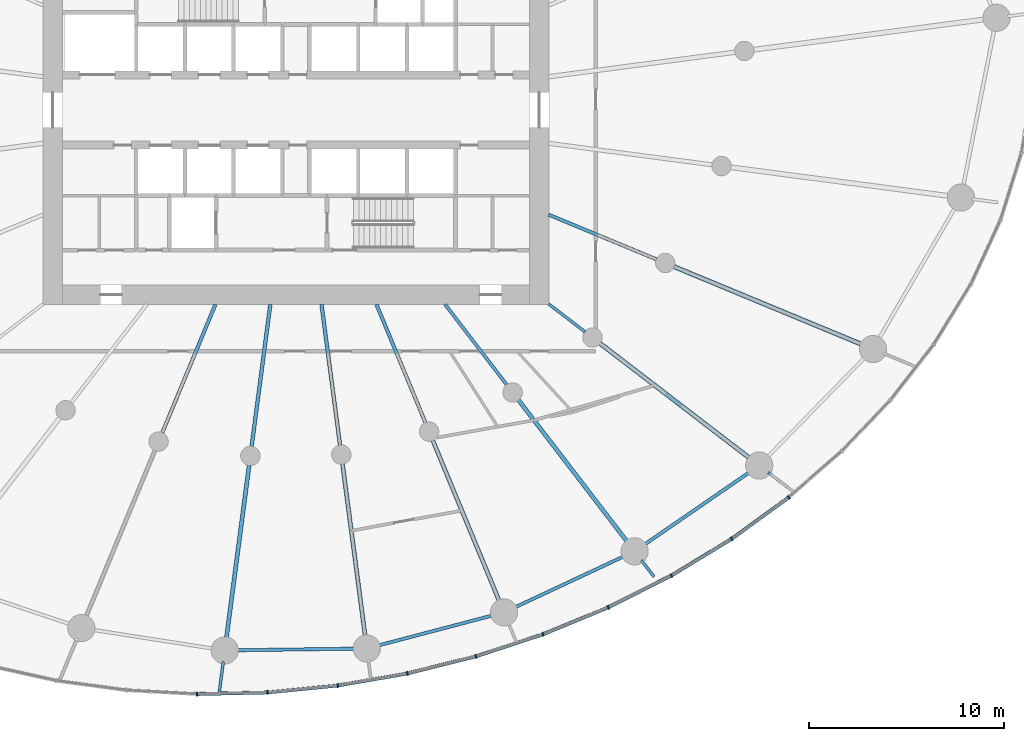
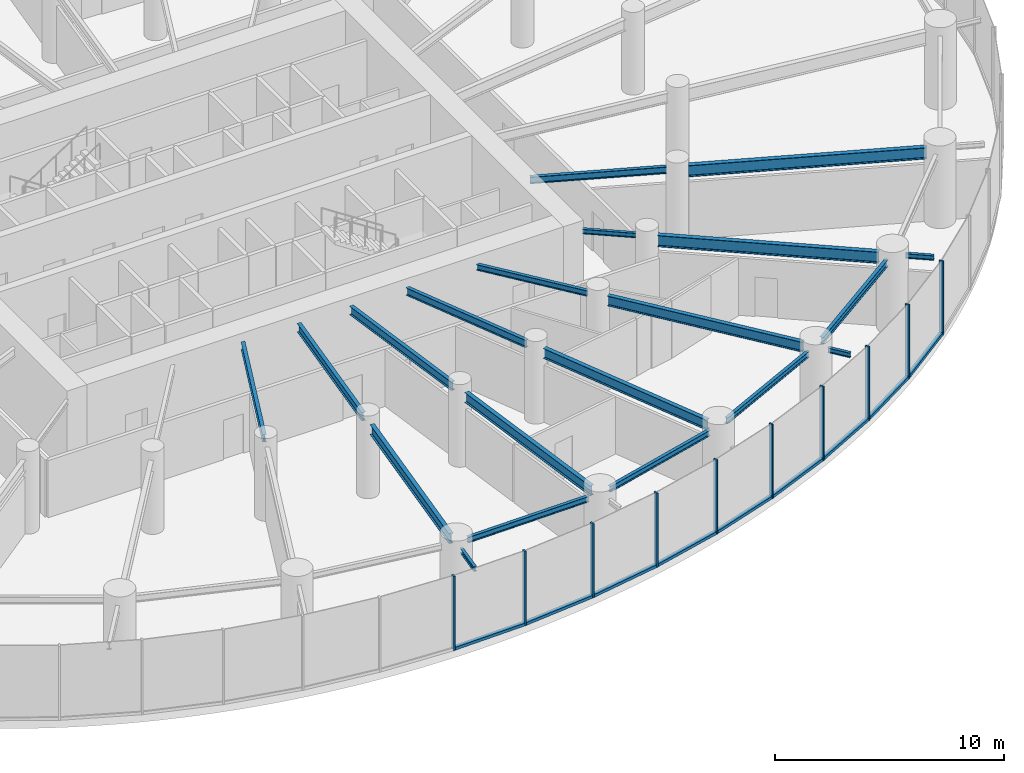
# One storey, part 4 of 18: 20 beams, 19 members, 3 elements without a shape of their own.
"""IFC4 building model written with IfcOpenShell, lengths in metres."""

from ifc_helpers import new_model, si_unit, direction, frame, origin, origin_2d, place, context, subcontext, project, spatial, rectangle, i_section, extrude, source, transform, mapped, material, layer, layer_set, material_profile, profile_set, type_object, element, aggregate, save


model = new_model("IFC4")

# Units and contexts
model_context = context("Model", 3, precision=1e-05, world=origin(), true_north=direction((0.0, 1.0)))
body_context = subcontext(model_context, "Body", "Model", "MODEL_VIEW")
ifc_project = project(units=[si_unit("LENGTHUNIT", "METRE"), si_unit("AREAUNIT", "SQUARE_METRE"), si_unit("VOLUMEUNIT", "CUBIC_METRE"), si_unit("PLANEANGLEUNIT", "RADIAN"), si_unit("MASSUNIT", "GRAM", prefix="KILO")], contexts=[model_context])

# Site, building, storey
site_placement = place(None, origin())
site = spatial("IfcSite", under=ifc_project, at=site_placement, CompositionType="ELEMENT")
building_placement = place(site_placement, origin())
building = spatial("IfcBuilding", under=site, at=building_placement, Name="Spindrift Exchange Tower", CompositionType="ELEMENT")
storey_placement = place(building_placement, frame((0.0, 0.0, 62.199951171875)))
storey = spatial("IfcBuildingStorey", under=building, at=storey_placement, Name="L14", CompositionType="ELEMENT", Elevation=62.199951171875)

# Beams
ifc_material_1 = material(Name="Steel Grade 300", Category="steel")
ifc_material_profile_1 = material_profile(ifc_material_1, i_section(OverallWidth=0.177978515625, OverallDepth=0.406005859375, WebThickness=0.0078125, FlangeThickness=0.0126953125, FilletRadius=0.013916015625, at=origin_2d()), Name="410UB59.7")
ifc_profile_set_1 = profile_set([ifc_material_profile_1], Name="Steel Grade 300")
beam_type_1 = type_object("IfcBeamType", Name="Floor Beam 410UB59.7 Steel Grade 300", PredefinedType="BEAM", material=ifc_profile_set_1)
shared_shape_1 = source(origin(), body_context, "Body", "SweptSolid", [
    extrude(i_section(OverallWidth=0.177978515625, OverallDepth=0.406005859375, WebThickness=0.0078125, FlangeThickness=0.0126953125, FilletRadius=0.013916015625, at=origin_2d()), origin(), (0.0, 0.0, 1.0), 7.150634765625),
])
beam_1_placement = place(storey_placement, frame((47.865478515625, 38.0185546875, 3.7470703125), z_axis=(-0.382665393358, -0.923887004306, 0.0), x_axis=(0.923887004306, -0.382665393358, 0.0)))
element("IfcBeam", 1, at=beam_1_placement, inside=storey, type_object=beam_type_1, Name="L14 radial beam R17A", PredefinedType="BEAM", context=body_context, shape_type="MappedRepresentation", body=[
    mapped(shared_shape_1, transform((0.0, 0.0, 0.0), scale=1.0)),
])
ifc_material_profile_2 = material_profile(ifc_material_1, i_section(OverallWidth=0.18994140625, OverallDepth=0.45703125, WebThickness=0.009033203125, FlangeThickness=0.014404296875, FilletRadius=0.013916015625, at=origin_2d()), Name="460UB74.6")
ifc_profile_set_2 = profile_set([ifc_material_profile_2], Name="Steel Grade 300")
beam_type_2 = type_object("IfcBeamType", Name="Floor Beam 460UB74.6 Steel Grade 300", PredefinedType="BEAM", material=ifc_profile_set_2)
shared_shape_2 = source(origin(), body_context, "Body", "SweptSolid", [
    extrude(i_section(OverallWidth=0.18994140625, OverallDepth=0.45703125, WebThickness=0.009033203125, FlangeThickness=0.014404296875, FilletRadius=0.013916015625, at=origin_2d()), origin(), (0.0, 0.0, 1.0), 7.374267578125),
])
beam_2_placement = place(storey_placement, frame((50.68603515625, 38.019775390625, 3.721435546875), z_axis=(-0.130539295622, -0.99144313619, 0.0), x_axis=(0.99144313619, -0.130539295622, 0.0)))
element("IfcBeam", 2, at=beam_2_placement, inside=storey, type_object=beam_type_2, Name="L14 radial beam R18A", PredefinedType="BEAM", context=body_context, shape_type="MappedRepresentation", body=[
    mapped(shared_shape_2, transform((0.0, 0.0, 0.0), scale=1.0)),
])
ifc_material_profile_3 = material_profile(ifc_material_1, i_section(OverallWidth=0.208984375, OverallDepth=0.532958984375, WebThickness=0.01025390625, FlangeThickness=0.015625, FilletRadius=0.013916015625, at=origin_2d()), Name="530UB92.4")
ifc_profile_set_3 = profile_set([ifc_material_profile_3], Name="Steel Grade 300")
beam_type_3 = type_object("IfcBeamType", Name="Floor Beam 530UB92.4 Steel Grade 300", PredefinedType="BEAM", material=ifc_profile_set_3)
shared_shape_3 = source(origin(), body_context, "Body", "SweptSolid", [
    extrude(i_section(OverallWidth=0.208984375, OverallDepth=0.532958984375, WebThickness=0.01025390625, FlangeThickness=0.015625, FilletRadius=0.013916015625, at=origin_2d()), origin(), (0.0, 0.0, 1.0), 9.020263671875),
])
beam_3_placement = place(storey_placement, frame((49.59814453125, 29.7568359375, 3.68359375), z_axis=(-0.13051122338, -0.991446831944, 0.0), x_axis=(0.991446831944, -0.13051122338, 0.0)))
element("IfcBeam", 3, at=beam_3_placement, inside=storey, type_object=beam_type_3, Name="L14 radial beam R18B", PredefinedType="BEAM", context=body_context, shape_type="MappedRepresentation", body=[
    mapped(shared_shape_3, transform((0.0, 0.0, 0.0), scale=1.0)),
])
shared_shape_4 = source(origin(), body_context, "Body", "SweptSolid", [
    extrude(i_section(OverallWidth=0.18994140625, OverallDepth=0.45703125, WebThickness=0.009033203125, FlangeThickness=0.014404296875, FilletRadius=0.013916015625, at=origin_2d()), origin(), (0.0, 0.0, 1.0), 7.3095703125),
])
beam_4_placement = place(storey_placement, frame((53.31396484375, 38.019775390625, 3.721435546875), z_axis=(0.130527087244, -0.991444743541, 0.0), x_axis=(0.991444743541, 0.130527087244, 0.0)))
element("IfcBeam", 4, at=beam_4_placement, inside=storey, type_object=beam_type_2, Name="L14 radial beam R19A", PredefinedType="BEAM", context=body_context, shape_type="MappedRepresentation", body=[
    mapped(shared_shape_4, transform((0.0, 0.0, 0.0), scale=1.0)),
])
shared_shape_5 = source(origin(), body_context, "Body", "SweptSolid", [
    extrude(i_section(OverallWidth=0.208984375, OverallDepth=0.532958984375, WebThickness=0.01025390625, FlangeThickness=0.015625, FilletRadius=0.013916015625, at=origin_2d()), origin(), (0.0, 0.0, 1.0), 8.98388671875),
])
beam_5_placement = place(storey_placement, frame((54.393310546875, 29.82080078125, 3.68359375), z_axis=(0.130524106785, -0.991445135924, 0.0), x_axis=(0.991445135924, 0.130524106785, 0.0)))
element("IfcBeam", 5, at=beam_5_placement, inside=storey, type_object=beam_type_3, Name="L14 radial beam R19B", PredefinedType="BEAM", context=body_context, shape_type="MappedRepresentation", body=[
    mapped(shared_shape_5, transform((0.0, 0.0, 0.0), scale=1.0)),
])
shared_shape_6 = source(origin(), body_context, "Body", "SweptSolid", [
    extrude(i_section(OverallWidth=0.177978515625, OverallDepth=0.406005859375, WebThickness=0.0078125, FlangeThickness=0.0126953125, FilletRadius=0.013916015625, at=origin_2d()), origin(), (0.0, 0.0, 1.0), 6.594482421875),
])
beam_6_placement = place(storey_placement, frame((56.134521484375, 38.0185546875, 3.7470703125), z_axis=(0.382692929746, -0.92387559851, 0.0), x_axis=(0.92387559851, 0.382692929746, 0.0)))
element("IfcBeam", 6, at=beam_6_placement, inside=storey, type_object=beam_type_1, Name="L14 radial beam R20A", PredefinedType="BEAM", context=body_context, shape_type="MappedRepresentation", body=[
    mapped(shared_shape_6, transform((0.0, 0.0, 0.0), scale=1.0)),
])
shared_shape_7 = source(origin(), body_context, "Body", "SweptSolid", [
    extrude(i_section(OverallWidth=0.208984375, OverallDepth=0.532958984375, WebThickness=0.01025390625, FlangeThickness=0.015625, FilletRadius=0.013916015625, at=origin_2d()), origin(), (0.0, 0.0, 1.0), 8.99658203125),
])
beam_7_placement = place(storey_placement, frame((59.025390625, 31.0390625, 3.68359375), z_axis=(0.382685731718, -0.923878580085, 0.0), x_axis=(0.923878580085, 0.382685731718, 0.0)))
element("IfcBeam", 7, at=beam_7_placement, inside=storey, type_object=beam_type_3, Name="L14 radial beam R20B", PredefinedType="BEAM", context=body_context, shape_type="MappedRepresentation", body=[
    mapped(shared_shape_7, transform((0.0, 0.0, 0.0), scale=1.0)),
])
ifc_material_profile_4 = material_profile(ifc_material_1, i_section(OverallWidth=0.1650390625, OverallDepth=0.303955078125, WebThickness=0.006103515625, FlangeThickness=0.01025390625, FilletRadius=0.011474609375, at=origin_2d()), Name="310UB40.4")
ifc_profile_set_4 = profile_set([ifc_material_profile_4], Name="Steel Grade 300")
beam_type_4 = type_object("IfcBeamType", Name="Floor Beam 310UB40.4 Steel Grade 300", PredefinedType="BEAM", material=ifc_profile_set_4)
shared_shape_8 = source(origin(), body_context, "Body", "SweptSolid", [
    extrude(i_section(OverallWidth=0.1650390625, OverallDepth=0.303955078125, WebThickness=0.006103515625, FlangeThickness=0.01025390625, FilletRadius=0.011474609375, at=origin_2d()), origin(), (0.0, 0.0, 1.0), 5.224609375),
])
beam_8_placement = place(storey_placement, frame((59.6611328125, 38.015869140625, 3.798095703125), z_axis=(0.608741499316, -0.793368632485, 0.0), x_axis=(0.793368632485, 0.608741499316, 0.0)))
element("IfcBeam", 8, at=beam_8_placement, inside=storey, type_object=beam_type_4, Name="L14 radial beam R21A", PredefinedType="BEAM", context=body_context, shape_type="MappedRepresentation", body=[
    mapped(shared_shape_8, transform((0.0, 0.0, 0.0), scale=1.0)),
])
shared_shape_9 = source(origin(), body_context, "Body", "SweptSolid", [
    extrude(i_section(OverallWidth=0.208984375, OverallDepth=0.532958984375, WebThickness=0.01025390625, FlangeThickness=0.015625, FilletRadius=0.013916015625, at=origin_2d()), origin(), (0.0, 0.0, 1.0), 9.227783203125),
])
beam_9_placement = place(storey_placement, frame((63.426025390625, 33.109375, 3.68359375), z_axis=(0.608747534474, -0.79336400175, 0.0), x_axis=(0.79336400175, 0.608747534474, 0.0)))
element("IfcBeam", 9, at=beam_9_placement, inside=storey, type_object=beam_type_3, Name="L14 radial beam R21B", PredefinedType="BEAM", context=body_context, shape_type="MappedRepresentation", body=[
    mapped(shared_shape_9, transform((0.0, 0.0, 0.0), scale=1.0)),
])
ifc_material_profile_5 = material_profile(ifc_material_1, i_section(OverallWidth=0.14599609375, OverallDepth=0.251953125, WebThickness=0.006103515625, FlangeThickness=0.008544921875, FilletRadius=0.011962890625, at=origin_2d()), Name="250UB31.4")
ifc_profile_set_5 = profile_set([ifc_material_profile_5], Name="Steel Grade 300")
beam_type_5 = type_object("IfcBeamType", Name="Floor Beam 250UB31.4 Steel Grade 300", PredefinedType="BEAM", material=ifc_profile_set_5)
shared_shape_10 = source(origin(), body_context, "Body", "SweptSolid", [
    extrude(i_section(OverallWidth=0.14599609375, OverallDepth=0.251953125, WebThickness=0.006103515625, FlangeThickness=0.008544921875, FilletRadius=0.011962890625, at=origin_2d()), origin(), (0.0, 0.0, 1.0), 2.353759765625),
])
beam_10_placement = place(storey_placement, frame((64.984130859375, 38.036865234375, 3.823974609375), z_axis=(0.793367573265, -0.608742879787, 0.0), x_axis=(0.608742879787, 0.793367573265, 0.0)))
element("IfcBeam", 10, at=beam_10_placement, inside=storey, type_object=beam_type_5, Name="L14 radial beam R22A", PredefinedType="BEAM", context=body_context, shape_type="MappedRepresentation", body=[
    mapped(shared_shape_10, transform((0.0, 0.0, 0.0), scale=1.0)),
])
ifc_material_profile_6 = material_profile(ifc_material_1, i_section(OverallWidth=0.22802734375, OverallDepth=0.60693359375, WebThickness=0.01123046875, FlangeThickness=0.017333984375, FilletRadius=0.013916015625, at=origin_2d()), Name="610UB113")
ifc_profile_set_6 = profile_set([ifc_material_profile_6], Name="Steel Grade 300")
beam_type_6 = type_object("IfcBeamType", Name="Floor Beam 610UB113 Steel Grade 300", PredefinedType="BEAM", material=ifc_profile_set_6)
shared_shape_11 = source(origin(), body_context, "Body", "SweptSolid", [
    extrude(i_section(OverallWidth=0.22802734375, OverallDepth=0.60693359375, WebThickness=0.01123046875, FlangeThickness=0.017333984375, FilletRadius=0.013916015625, at=origin_2d()), origin(), (0.0, 0.0, 1.0), 9.73974609375),
])
beam_11_placement = place(storey_placement, frame((67.61328125, 36.01953125, 3.646484375), z_axis=(0.793352119621, -0.608763019814, 0.0), x_axis=(0.608763019814, 0.793352119621, 0.0)))
element("IfcBeam", 11, at=beam_11_placement, inside=storey, type_object=beam_type_6, Name="L14 radial beam R22B", PredefinedType="BEAM", context=body_context, shape_type="MappedRepresentation", body=[
    mapped(shared_shape_11, transform((0.0, 0.0, 0.0), scale=1.0)),
])
ifc_material_profile_7 = material_profile(ifc_material_1, i_section(OverallWidth=0.172119140625, OverallDepth=0.35888671875, WebThickness=0.008056640625, FlangeThickness=0.012939453125, FilletRadius=0.013916015625, at=origin_2d()), Name="360UB56.7")
ifc_profile_set_7 = profile_set([ifc_material_profile_7], Name="Steel Grade 300")
beam_type_7 = type_object("IfcBeamType", Name="Floor Beam 360UB56.7 Steel Grade 300", PredefinedType="BEAM", material=ifc_profile_set_7)
shared_shape_12 = source(origin(), body_context, "Body", "SweptSolid", [
    extrude(i_section(OverallWidth=0.172119140625, OverallDepth=0.35888671875, WebThickness=0.008056640625, FlangeThickness=0.012939453125, FilletRadius=0.013916015625, at=origin_2d()), origin(), (0.0, 0.0, 1.0), 6.004638671875),
])
beam_12_placement = place(storey_placement, frame((64.9814453125, 42.622802734375, 3.7705078125), z_axis=(0.923882044911, -0.38267736684, 0.0), x_axis=(0.38267736684, 0.923882044911, 0.0)))
element("IfcBeam", 12, at=beam_12_placement, inside=storey, type_object=beam_type_7, Name="L14 radial beam R23A", PredefinedType="BEAM", context=body_context, shape_type="MappedRepresentation", body=[
    mapped(shared_shape_12, transform((0.0, 0.0, 0.0), scale=1.0)),
])
shared_shape_13 = source(origin(), body_context, "Body", "SweptSolid", [
    extrude(i_section(OverallWidth=0.22802734375, OverallDepth=0.60693359375, WebThickness=0.01123046875, FlangeThickness=0.017333984375, FilletRadius=0.013916015625, at=origin_2d()), origin(), (0.0, 0.0, 1.0), 10.4912109375),
])
beam_13_placement = place(storey_placement, frame((71.416015625, 39.95751953125, 3.646484375), z_axis=(0.923885231151, -0.382669674342, 0.0), x_axis=(0.382669674342, 0.923885231151, 0.0)))
element("IfcBeam", 13, at=beam_13_placement, inside=storey, type_object=beam_type_6, Name="L14 radial beam R23B", PredefinedType="BEAM", context=body_context, shape_type="MappedRepresentation", body=[
    mapped(shared_shape_13, transform((0.0, 0.0, 0.0), scale=1.0)),
])
ifc_material_profile_8 = material_profile(ifc_material_1, i_section(OverallWidth=0.1650390625, OverallDepth=0.303955078125, WebThickness=0.006103515625, FlangeThickness=0.01025390625, FilletRadius=0.011474609375, at=origin_2d()), Name="310UB40.4")
ifc_profile_set_8 = profile_set([ifc_material_profile_8], Name="Steel Grade 300")
beam_type_8 = type_object("IfcBeamType", Name="Edge Beam 310UB40.4 Steel Grade 300", PredefinedType="SPANDREL", material=ifc_profile_set_8)
shared_shape_14 = source(origin(), body_context, "Body", "SweptSolid", [
    extrude(i_section(OverallWidth=0.1650390625, OverallDepth=0.303955078125, WebThickness=0.006103515625, FlangeThickness=0.01025390625, FilletRadius=0.011474609375, at=origin_2d()), origin(), (0.0, 0.0, 1.0), 6.13720703125),
])
beam_14_placement = place(storey_placement, frame((48.925048828125, 20.24658203125, 3.798095703125), z_axis=(0.999905820907, 0.013724041543, 0.0), x_axis=(-0.013724041543, 0.999905820907, 0.0)))
element("IfcBeam", 14, at=beam_14_placement, inside=storey, type_object=beam_type_8, Name="L14 edge beam E18", PredefinedType="SPANDREL", context=body_context, shape_type="MappedRepresentation", body=[
    mapped(shared_shape_14, transform((0.0, 0.0, 0.0), scale=1.0)),
])
shared_shape_15 = source(origin(), body_context, "Body", "SweptSolid", [
    extrude(i_section(OverallWidth=0.1650390625, OverallDepth=0.303955078125, WebThickness=0.006103515625, FlangeThickness=0.01025390625, FilletRadius=0.011474609375, at=origin_2d()), origin(), (0.0, 0.0, 1.0), 6.128173828125),
])
beam_15_placement = place(storey_placement, frame((56.20263671875, 20.486083984375, 3.798095703125), z_axis=(0.967147261855, 0.254216785216, 0.0), x_axis=(-0.254216785216, 0.967147261855, 0.0)))
element("IfcBeam", 15, at=beam_15_placement, inside=storey, type_object=beam_type_8, Name="L14 edge beam E19", PredefinedType="SPANDREL", context=body_context, shape_type="MappedRepresentation", body=[
    mapped(shared_shape_15, transform((0.0, 0.0, 0.0), scale=1.0)),
])
shared_shape_16 = source(origin(), body_context, "Body", "SweptSolid", [
    extrude(i_section(OverallWidth=0.1650390625, OverallDepth=0.303955078125, WebThickness=0.006103515625, FlangeThickness=0.01025390625, FilletRadius=0.011474609375, at=origin_2d()), origin(), (0.0, 0.0, 1.0), 6.243408203125),
])
beam_16_placement = place(storey_placement, frame((63.2158203125, 22.43701171875, 3.798095703125), z_axis=(0.905791146607, 0.423724437257, 0.0), x_axis=(-0.423724437257, 0.905791146607, 0.0)))
element("IfcBeam", 16, at=beam_16_placement, inside=storey, type_object=beam_type_8, Name="L14 edge beam E20", PredefinedType="SPANDREL", context=body_context, shape_type="MappedRepresentation", body=[
    mapped(shared_shape_16, transform((0.0, 0.0, 0.0), scale=1.0)),
])
ifc_material_profile_9 = material_profile(ifc_material_1, i_section(OverallWidth=0.172119140625, OverallDepth=0.35888671875, WebThickness=0.008056640625, FlangeThickness=0.012939453125, FilletRadius=0.013916015625, at=origin_2d()), Name="360UB56.7")
ifc_profile_set_9 = profile_set([ifc_material_profile_9], Name="Steel Grade 300")
beam_type_9 = type_object("IfcBeamType", Name="Edge Beam 360UB56.7 Steel Grade 300", PredefinedType="SPANDREL", material=ifc_profile_set_9)
shared_shape_17 = source(origin(), body_context, "Body", "SweptSolid", [
    extrude(i_section(OverallWidth=0.172119140625, OverallDepth=0.35888671875, WebThickness=0.008056640625, FlangeThickness=0.012939453125, FilletRadius=0.013916015625, at=origin_2d()), origin(), (0.0, 0.0, 1.0), 6.614990234375),
])
beam_17_placement = place(storey_placement, frame((69.874267578125, 25.6572265625, 3.7705078125), z_axis=(0.823690708835, 0.567039342708, 0.0), x_axis=(-0.567039342708, 0.823690708835, 0.0)))
element("IfcBeam", 17, at=beam_17_placement, inside=storey, type_object=beam_type_9, Name="L14 edge beam E21", PredefinedType="SPANDREL", context=body_context, shape_type="MappedRepresentation", body=[
    mapped(shared_shape_17, transform((0.0, 0.0, 0.0), scale=1.0)),
])
ifc_material_profile_10 = material_profile(ifc_material_1, i_section(OverallWidth=0.14599609375, OverallDepth=0.251953125, WebThickness=0.006103515625, FlangeThickness=0.008544921875, FilletRadius=0.011962890625, at=origin_2d()), Name="250UB31.4")
ifc_profile_set_10 = profile_set([ifc_material_profile_10], Name="Steel Grade 300")
beam_type_10 = type_object("IfcBeamType", Name="Cantilever Beam 250UB31.4 Steel Grade 300", PredefinedType="BEAM", material=ifc_profile_set_10)
shared_shape_18 = source(origin(), body_context, "Body", "SweptSolid", [
    extrude(i_section(OverallWidth=0.14599609375, OverallDepth=0.251953125, WebThickness=0.006103515625, FlangeThickness=0.008544921875, FilletRadius=0.011962890625, at=origin_2d()), origin(), (0.0, 0.0, 1.0), 1.58740234375),
])
beam_18_placement = place(storey_placement, frame((48.269287109375, 19.66357421875, 3.823974609375), z_axis=(-0.130430640093, -0.991457436366, 0.0), x_axis=(0.991457436366, -0.130430640093, 0.0)))
element("IfcBeam", 18, at=beam_18_placement, inside=storey, type_object=beam_type_10, Name="L14 cantilever beam R18T", PredefinedType="BEAM", context=body_context, shape_type="MappedRepresentation", body=[
    mapped(shared_shape_18, transform((0.0, 0.0, 0.0), scale=1.0)),
])
shared_shape_19 = source(origin(), body_context, "Body", "SweptSolid", [
    extrude(i_section(OverallWidth=0.14599609375, OverallDepth=0.251953125, WebThickness=0.006103515625, FlangeThickness=0.008544921875, FilletRadius=0.011962890625, at=origin_2d()), origin(), (0.0, 0.0, 1.0), 1.0615234375),
])
beam_19_placement = place(storey_placement, frame((69.749755859375, 24.8681640625, 3.823974609375), z_axis=(0.608721173943, -0.793384227467, 0.0), x_axis=(0.793384227467, 0.608721173943, 0.0)))
element("IfcBeam", 19, at=beam_19_placement, inside=storey, type_object=beam_type_10, Name="L14 cantilever beam R21T", PredefinedType="BEAM", context=body_context, shape_type="MappedRepresentation", body=[
    mapped(shared_shape_19, transform((0.0, 0.0, 0.0), scale=1.0)),
])
shared_shape_20 = source(origin(), body_context, "Body", "SweptSolid", [
    extrude(i_section(OverallWidth=0.14599609375, OverallDepth=0.251953125, WebThickness=0.006103515625, FlangeThickness=0.008544921875, FilletRadius=0.011962890625, at=origin_2d()), origin(), (0.0, 0.0, 1.0), 1.251708984375),
])
beam_20_placement = place(storey_placement, frame((76.2607421875, 29.384033203125, 3.823974609375), z_axis=(0.793399134093, -0.608701744716, 0.0), x_axis=(0.608701744716, 0.793399134093, 0.0)))
element("IfcBeam", 20, at=beam_20_placement, inside=storey, type_object=beam_type_10, Name="L14 cantilever beam R22T", PredefinedType="BEAM", context=body_context, shape_type="MappedRepresentation", body=[
    mapped(shared_shape_20, transform((0.0, 0.0, 0.0), scale=1.0)),
])

# Curtain wall, member
ifc_material_2 = material(Name="Fritted laminated glass with bronze frame", Category="glass")
ifc_layer = layer(ifc_material_2, 0.199951171875)
ifc_layer_set = layer_set([ifc_layer], Name="ZONE 1 BRONZE FRITTED WALL")
curtain_wall_type = type_object("IfcCurtainWallType", Name="ZONE 1 BRONZE FRITTED WALL", PredefinedType="NOTDEFINED", material=ifc_layer_set)
curtain_wall_1_placement = place(storey_placement, origin())
curtain_wall_1 = element("IfcCurtainWall", 21, at=curtain_wall_1_placement, inside=storey, type_object=curtain_wall_type, Name="L14 Zone 1 Bronze Fritted Wall run 7", PredefinedType="NOTDEFINED")
ifc_material_3 = material(Name="Bronze anodised aluminium", Category="aluminium")
ifc_material_profile_11 = material_profile(ifc_material_3, rectangle(XDim=0.080078125, YDim=0.199951171875, at=origin_2d()), Name="ZONE 1 BRONZE FRITTED WALL MULLION 80X200")
ifc_profile_set_11 = profile_set([ifc_material_profile_11], Name="Bronze anodised aluminium")
member_type_1 = type_object("IfcMemberType", Name="ZONE 1 BRONZE FRITTED WALL MULLION 80X200", PredefinedType="MULLION", material=ifc_profile_set_11)
shared_shape_21 = source(origin(), body_context, "Body", "SweptSolid", [
    extrude(rectangle(XDim=0.080078125, YDim=0.199951171875, at=origin_2d()), origin(), (0.0, 0.0, 1.0), 3.949951171875),
])
member_1_placement = place(storey_placement, frame((46.9169921875, 17.998291015625, 0.0), z_axis=(0.0, 0.0, 1.0), x_axis=(0.999879571608, -0.015519094106, 0.0)))
member_1 = element("IfcMember", 22, at=member_1_placement, type_object=member_type_1, Name="L14 mullion CW-1.42", PredefinedType="MULLION", context=body_context, shape_type="MappedRepresentation", body=[
    mapped(shared_shape_21, transform((0.0, 0.0, 0.0), scale=1.0)),
])

# Curtain wall, members
curtain_wall_2_placement = place(storey_placement, origin())
curtain_wall_2 = element("IfcCurtainWall", 23, at=curtain_wall_2_placement, inside=storey, type_object=curtain_wall_type, Name="L14 Zone 1 Bronze Fritted Wall run 8", PredefinedType="NOTDEFINED")
member_2_placement = place(storey_placement, frame((50.54345703125, 18.081787109375, 0.0), z_axis=(0.0, 0.0, 1.0), x_axis=(0.998169085735, 0.060485339405, 0.0)))
member_2 = element("IfcMember", 24, at=member_2_placement, type_object=member_type_1, Name="L14 mullion CW-1.43", PredefinedType="MULLION", context=body_context, shape_type="MappedRepresentation", body=[
    mapped(shared_shape_21, transform((0.0, 0.0, 0.0), scale=1.0)),
])
member_3_placement = place(storey_placement, frame((54.1533203125, 18.436767578125, 0.0), z_axis=(0.0, 0.0, 1.0), x_axis=(0.990939957936, 0.134305620753, 0.0)))
member_3 = element("IfcMember", 25, at=member_3_placement, type_object=member_type_1, Name="L14 mullion CW-1.44", PredefinedType="MULLION", context=body_context, shape_type="MappedRepresentation", body=[
    mapped(shared_shape_21, transform((0.0, 0.0, 0.0), scale=1.0)),
])
member_4_placement = place(storey_placement, frame((57.7275390625, 19.0556640625, 0.0), z_axis=(0.0, 0.0, 1.0), x_axis=(0.978470564596, 0.206386419658, 0.0)))
member_4 = element("IfcMember", 26, at=member_4_placement, type_object=member_type_1, Name="L14 mullion CW-1.45", PredefinedType="MULLION", context=body_context, shape_type="MappedRepresentation", body=[
    mapped(shared_shape_21, transform((0.0, 0.0, 0.0), scale=1.0)),
])
member_5_placement = place(storey_placement, frame((61.247314453125, 19.93310546875, 0.0), z_axis=(0.0, 0.0, 1.0), x_axis=(0.960823302195, 0.277161653117, 0.0)))
member_5 = element("IfcMember", 27, at=member_5_placement, type_object=member_type_1, Name="L14 mullion CW-1.46", PredefinedType="MULLION", context=body_context, shape_type="MappedRepresentation", body=[
    mapped(shared_shape_21, transform((0.0, 0.0, 0.0), scale=1.0)),
])
member_6_placement = place(storey_placement, frame((64.693603515625, 21.06494140625, 0.0), z_axis=(0.0, 0.0, 1.0), x_axis=(0.937848639098, 0.347044565066, 0.0)))
member_6 = element("IfcMember", 28, at=member_6_placement, type_object=member_type_1, Name="L14 mullion CW-1.47", PredefinedType="MULLION", context=body_context, shape_type="MappedRepresentation", body=[
    mapped(shared_shape_21, transform((0.0, 0.0, 0.0), scale=1.0)),
])
member_7_placement = place(storey_placement, frame((68.04638671875, 22.448974609375, 0.0), z_axis=(0.0, 0.0, 1.0), x_axis=(0.909206327977, 0.416345833613, 0.0)))
member_7 = element("IfcMember", 29, at=member_7_placement, type_object=member_type_1, Name="L14 mullion CW-1.48", PredefinedType="MULLION", context=body_context, shape_type="MappedRepresentation", body=[
    mapped(shared_shape_21, transform((0.0, 0.0, 0.0), scale=1.0)),
])

curtain_wall_3_placement = place(storey_placement, origin())
curtain_wall_3 = element("IfcCurtainWall", 30, at=curtain_wall_3_placement, inside=storey, type_object=curtain_wall_type, Name="L14 Zone 1 Bronze Fritted Wall run 9", PredefinedType="NOTDEFINED")
member_8_placement = place(storey_placement, frame((71.284912109375, 24.083251953125, 0.0), z_axis=(0.0, 0.0, 1.0), x_axis=(0.8743390314, 0.485315627372, 0.0)))
member_8 = element("IfcMember", 31, at=member_8_placement, type_object=member_type_1, Name="L14 mullion CW-1.49", PredefinedType="MULLION", context=body_context, shape_type="MappedRepresentation", body=[
    mapped(shared_shape_21, transform((0.0, 0.0, 0.0), scale=1.0)),
])
member_9_placement = place(storey_placement, frame((74.384521484375, 25.967041015625, 0.0), z_axis=(0.0, 0.0, 1.0), x_axis=(0.832448880548, 0.554101850993, 0.0)))
member_9 = element("IfcMember", 32, at=member_9_placement, type_object=member_type_1, Name="L14 mullion CW-1.50", PredefinedType="MULLION", context=body_context, shape_type="MappedRepresentation", body=[
    mapped(shared_shape_21, transform((0.0, 0.0, 0.0), scale=1.0)),
])
member_10_placement = place(storey_placement, frame((77.318603515625, 28.099609375, 0.0), z_axis=(0.0, 0.0, 1.0), x_axis=(0.782489449851, 0.622663842592, 0.0)))
member_10 = element("IfcMember", 33, at=member_10_placement, type_object=member_type_1, Name="L14 mullion CW-1.51", PredefinedType="MULLION", context=body_context, shape_type="MappedRepresentation", body=[
    mapped(shared_shape_21, transform((0.0, 0.0, 0.0), scale=1.0)),
])

# Member
ifc_material_profile_12 = material_profile(ifc_material_3, rectangle(XDim=0.179931640625, YDim=0.14990234375, at=origin_2d()), Name="ZONE 1 BRONZE FRITTED WALL TRANSOM 180X150")
ifc_profile_set_12 = profile_set([ifc_material_profile_12], Name="Bronze anodised aluminium")
member_type_2 = type_object("IfcMemberType", Name="ZONE 1 BRONZE FRITTED WALL TRANSOM 180X150", PredefinedType="USERDEFINED", material=ifc_profile_set_12)
shared_shape_22 = source(origin(), body_context, "Body", "SweptSolid", [
    extrude(rectangle(XDim=0.179931640625, YDim=0.14990234375, at=origin_2d()), origin(), (0.0, 0.0, 1.0), 3.54736328125),
])
member_11_placement = place(storey_placement, frame((46.95703125, 17.9990234375, 0.074951171875), z_axis=(0.999732587165, 0.023124752119, 0.0), x_axis=(-0.023124752119, 0.999732587165, 0.0)))
member_11 = element("IfcMember", 34, at=member_11_placement, type_object=member_type_2, Name="L14 transom CW-1.42", ObjectType="TRANSOM", PredefinedType="USERDEFINED", context=body_context, shape_type="MappedRepresentation", body=[
    mapped(shared_shape_22, transform((0.0, 0.0, 0.0), scale=1.0)),
])

aggregate(curtain_wall_1, [member_1, member_11])

member_12_placement = place(storey_placement, frame((50.583251953125, 18.085693359375, 0.074951171875), z_axis=(0.995199389118, 0.097868155693, 0.0), x_axis=(-0.097868155693, 0.995199389118, 0.0)))
member_12 = element("IfcMember", 35, at=member_12_placement, type_object=member_type_2, Name="L14 transom CW-1.43", ObjectType="TRANSOM", PredefinedType="USERDEFINED", context=body_context, shape_type="MappedRepresentation", body=[
    mapped(shared_shape_22, transform((0.0, 0.0, 0.0), scale=1.0)),
])

member_13_placement = place(storey_placement, frame((54.19287109375, 18.443603515625, 0.074951171875), z_axis=(0.985338270874, 0.170612109625, 0.0), x_axis=(-0.170612109625, 0.985338270874, 0.0)))
member_13 = element("IfcMember", 36, at=member_13_placement, type_object=member_type_2, Name="L14 transom CW-1.44", ObjectType="TRANSOM", PredefinedType="USERDEFINED", context=body_context, shape_type="MappedRepresentation", body=[
    mapped(shared_shape_22, transform((0.0, 0.0, 0.0), scale=1.0)),
])

member_14_placement = place(storey_placement, frame((61.285400390625, 19.945556640625, 0.074951171875), z_axis=(0.950064400678, 0.31205389689, 0.0), x_axis=(-0.31205389689, 0.950064400678, 0.0)))
member_14 = element("IfcMember", 37, at=member_14_placement, type_object=member_type_2, Name="L14 transom CW-1.46", ObjectType="TRANSOM", PredefinedType="USERDEFINED", context=body_context, shape_type="MappedRepresentation", body=[
    mapped(shared_shape_22, transform((0.0, 0.0, 0.0), scale=1.0)),
])

member_15_placement = place(storey_placement, frame((64.73046875, 21.080322265625, 0.074951171875), z_axis=(0.924348506599, 0.381549260709, 0.0), x_axis=(-0.381549260709, 0.924348506599, 0.0)))
member_15 = element("IfcMember", 38, at=member_15_placement, type_object=member_type_2, Name="L14 transom CW-1.47", ObjectType="TRANSOM", PredefinedType="USERDEFINED", context=body_context, shape_type="MappedRepresentation", body=[
    mapped(shared_shape_22, transform((0.0, 0.0, 0.0), scale=1.0)),
])

shared_shape_23 = source(origin(), body_context, "Body", "SweptSolid", [
    extrude(rectangle(XDim=0.179931640625, YDim=0.14990234375, at=origin_2d()), origin(), (0.0, 0.0, 1.0), 3.547119140625),
])
member_16_placement = place(storey_placement, frame((68.082275390625, 22.467041015625, 0.074951171875), z_axis=(0.892755373457, 0.450541721891, 0.0), x_axis=(-0.450541721891, 0.892755373457, 0.0)))
member_16 = element("IfcMember", 39, at=member_16_placement, type_object=member_type_2, Name="L14 transom CW-1.48", ObjectType="TRANSOM", PredefinedType="USERDEFINED", context=body_context, shape_type="MappedRepresentation", body=[
    mapped(shared_shape_23, transform((0.0, 0.0, 0.0), scale=1.0)),
])

member_17_placement = place(storey_placement, frame((71.319091796875, 24.10400390625, 0.074951171875), z_axis=(0.854551889892, 0.519366024575, 0.0), x_axis=(-0.519366024575, 0.854551889892, 0.0)))
member_17 = element("IfcMember", 40, at=member_17_placement, type_object=member_type_2, Name="L14 transom CW-1.49", ObjectType="TRANSOM", PredefinedType="USERDEFINED", context=body_context, shape_type="MappedRepresentation", body=[
    mapped(shared_shape_23, transform((0.0, 0.0, 0.0), scale=1.0)),
])

member_18_placement = place(storey_placement, frame((74.416748046875, 25.990478515625, 0.074951171875), z_axis=(0.808920574549, 0.587917939913, 0.0), x_axis=(-0.587917939913, 0.808920574549, 0.0)))
member_18 = element("IfcMember", 41, at=member_18_placement, type_object=member_type_2, Name="L14 transom CW-1.50", ObjectType="TRANSOM", PredefinedType="USERDEFINED", context=body_context, shape_type="MappedRepresentation", body=[
    mapped(shared_shape_23, transform((0.0, 0.0, 0.0), scale=1.0)),
])

aggregate(curtain_wall_3, [member_8, member_17, member_9, member_18, member_10])

shared_shape_24 = source(origin(), body_context, "Body", "SweptSolid", [
    extrude(rectangle(XDim=0.179931640625, YDim=0.14990234375, at=origin_2d()), origin(), (0.0, 0.0, 1.0), 3.547607421875),
])
member_19_placement = place(storey_placement, frame((57.766357421875, 19.065185546875, 0.074951171875), z_axis=(0.970300176908, 0.241904044388, 0.0), x_axis=(-0.241904044388, 0.970300176908, 0.0)))
member_19 = element("IfcMember", 42, at=member_19_placement, type_object=member_type_2, Name="L14 transom CW-1.45", ObjectType="TRANSOM", PredefinedType="USERDEFINED", context=body_context, shape_type="MappedRepresentation", body=[
    mapped(shared_shape_24, transform((0.0, 0.0, 0.0), scale=1.0)),
])

aggregate(curtain_wall_2, [member_2, member_12, member_3, member_13, member_4, member_19, member_5, member_14, member_6, member_15, member_7, member_16])

save(model, "model.ifc")
